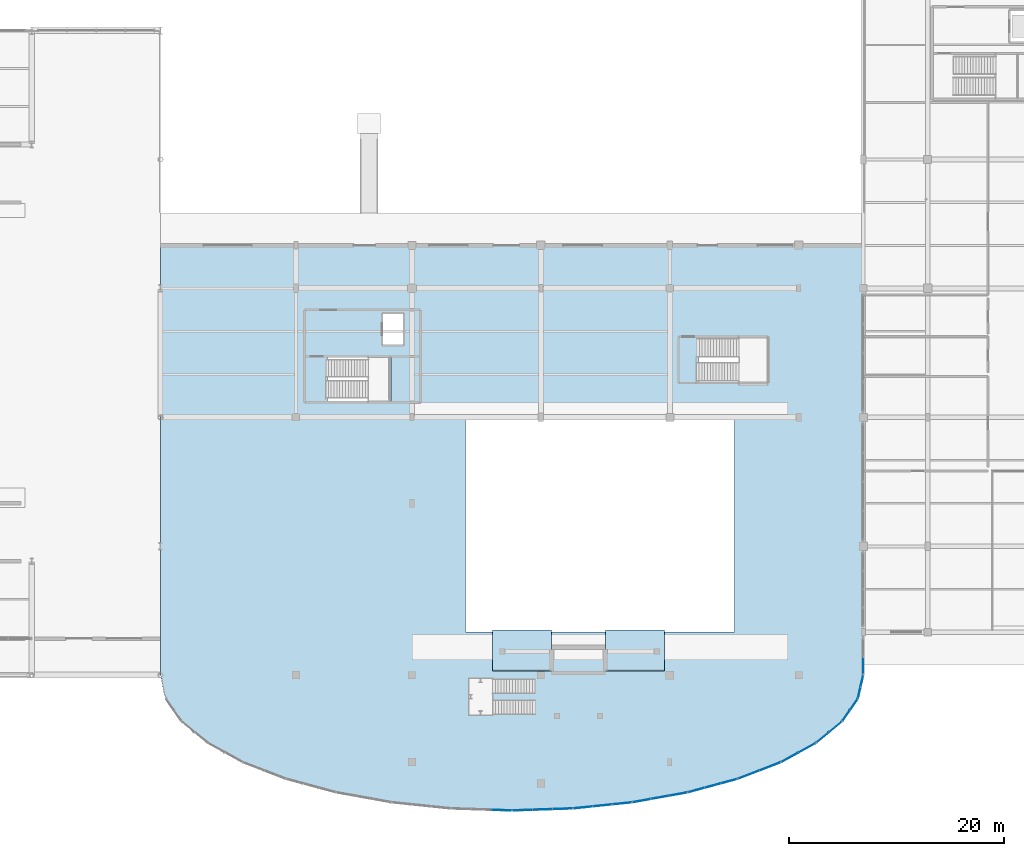
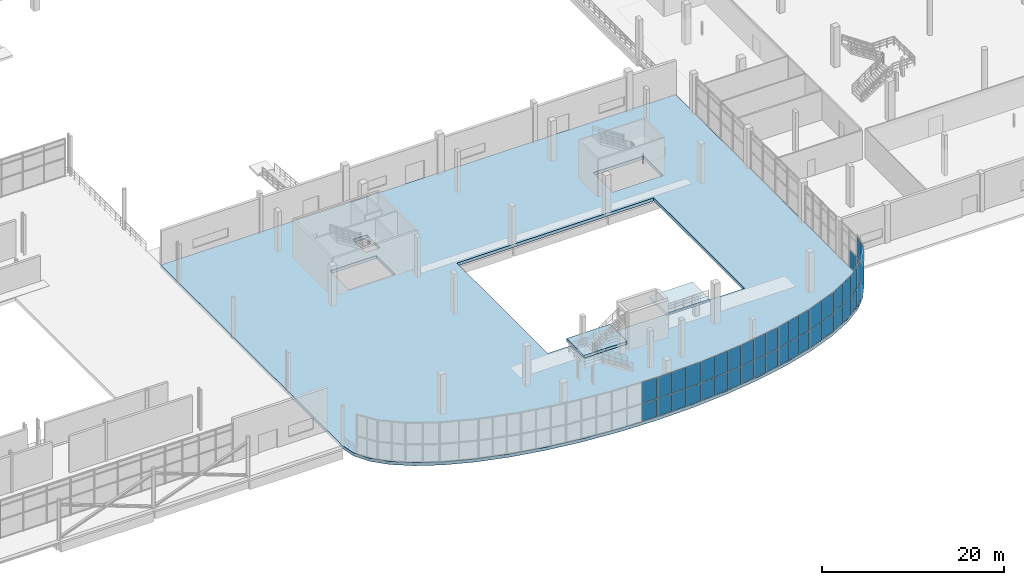
# One storey, part 52 of 85: 47 plates, 3 slabs, 11 elements without a shape of their own.
"""IFC4 building model written with IfcOpenShell, lengths in metres."""

from ifc_helpers import new_model, si_unit, direction, frame, origin, origin_2d, place, context, subcontext, project, spatial, polyline, rectangle, outline, extrude, material, layer, layer_set, type_object, element, aggregate, save


model = new_model("IFC4")

# Units and contexts
model_context = context("Model", 3, precision=1e-05, world=origin(), true_north=direction((0.0, 1.0)))
body_context = subcontext(model_context, "Body", "Model", "MODEL_VIEW")
ifc_project = project(units=[si_unit("LENGTHUNIT", "METRE"), si_unit("AREAUNIT", "SQUARE_METRE"), si_unit("VOLUMEUNIT", "CUBIC_METRE"), si_unit("PLANEANGLEUNIT", "RADIAN"), si_unit("MASSUNIT", "GRAM", prefix="KILO"), si_unit("THERMODYNAMICTEMPERATUREUNIT", "KELVIN"), si_unit("POWERUNIT", "WATT")], contexts=[model_context])

# Site, building, storey
site_placement = place(None, origin())
site = spatial("IfcSite", under=ifc_project, at=site_placement, CompositionType="ELEMENT")
building_placement = place(site_placement, origin())
building = spatial("IfcBuilding", under=site, at=building_placement, Name="Solmara Park Aquatics Centre", CompositionType="ELEMENT")
storey_placement = place(building_placement, origin())
storey = spatial("IfcBuildingStorey", under=building, at=storey_placement, Name="L00", CompositionType="ELEMENT", Elevation=0.0)

# Curtain wall, plates
ifc_material_1 = material(Name="Anodised Aluminium Curtain Wall Framing", Category="aluminium")
curtain_wall_type = type_object("IfcCurtainWallType", Name="ARC-CW-SYS02", PredefinedType="USERDEFINED", material=ifc_material_1)
curtain_wall_1_placement = place(storey_placement, origin())
curtain_wall_1 = element("IfcCurtainWall", 1, at=curtain_wall_1_placement, inside=storey, type_object=curtain_wall_type, Name="Curtain Wall CW-070", ObjectType="CURTAIN WALL", PredefinedType="USERDEFINED")
ifc_material_2 = material(Name="Double Low-E Solar-Control Glazing", Category="glass")
ifc_layer_1 = layer(ifc_material_2, 0.031982421875, Name="Double Low-E Solar-Control Glazing")
ifc_layer_set_1 = layer_set([ifc_layer_1], Name="Double Low-E Solar-Control Glazing")
plate_type_1 = type_object("IfcPlateType", Name="ARC-CWP-GLZ32-1000x2320", PredefinedType="CURTAIN_PANEL", material=ifc_layer_set_1)
plate_1_placement = place(storey_placement, frame((161.62744140625, 10.958984375, 0.080078125), z_axis=(0.0, 0.0, 1.0), x_axis=(0.22142084897, 0.975178346582, 0.0)))
plate_1 = element("IfcPlate", 2, at=plate_1_placement, type_object=plate_type_1, Name="CW-070 panel 1", PredefinedType="CURTAIN_PANEL", context=body_context, shape_type="SweptSolid", body=[
    extrude(rectangle(XDim=1.001953125, YDim=0.031982421875, at=origin_2d()), origin(), (0.0, 0.0, 1.0), 2.330078125),
])
plate_2_placement = place(storey_placement, frame((161.866943359375, 12.013916015625, 0.080078125), z_axis=(0.0, 0.0, 1.0), x_axis=(0.22142084897, 0.975178346582, 0.0)))
plate_2 = element("IfcPlate", 3, at=plate_2_placement, type_object=plate_type_1, Name="CW-070 panel 3", PredefinedType="CURTAIN_PANEL", context=body_context, shape_type="SweptSolid", body=[
    extrude(rectangle(XDim=1.001953125, YDim=0.031982421875, at=origin_2d()), origin(), (0.0, 0.0, 1.0), 2.330078125),
])
ifc_layer_2 = layer(ifc_material_2, 0.031982421875, Name="Double Low-E Solar-Control Glazing")
ifc_layer_set_2 = layer_set([ifc_layer_2], Name="Double Low-E Solar-Control Glazing")
plate_type_2 = type_object("IfcPlateType", Name="ARC-CWP-GLZ32-1000x2840", PredefinedType="CURTAIN_PANEL", material=ifc_layer_set_2)
plate_3_placement = place(storey_placement, frame((161.62744140625, 10.958984375, 2.489990234375), z_axis=(0.0, 0.0, 1.0), x_axis=(0.22142084897, 0.975178346582, 0.0)))
plate_3 = element("IfcPlate", 4, at=plate_3_placement, type_object=plate_type_2, Name="CW-070 panel 2", PredefinedType="CURTAIN_PANEL", context=body_context, shape_type="SweptSolid", body=[
    extrude(rectangle(XDim=1.001953125, YDim=0.031982421875, at=origin_2d()), origin(), (0.0, 0.0, 1.0), 2.830078125),
])
plate_4_placement = place(storey_placement, frame((161.866943359375, 12.013916015625, 2.489990234375), z_axis=(0.0, 0.0, 1.0), x_axis=(0.22142084897, 0.975178346582, 0.0)))
plate_4 = element("IfcPlate", 5, at=plate_4_placement, type_object=plate_type_2, Name="CW-070 panel 4", PredefinedType="CURTAIN_PANEL", context=body_context, shape_type="SweptSolid", body=[
    extrude(rectangle(XDim=1.001953125, YDim=0.031982421875, at=origin_2d()), origin(), (0.0, 0.0, 1.0), 2.830078125),
])
aggregate(curtain_wall_1, [plate_1, plate_3, plate_2, plate_4])

curtain_wall_2_placement = place(storey_placement, origin())
curtain_wall_2 = element("IfcCurtainWall", 6, at=curtain_wall_2_placement, inside=storey, type_object=curtain_wall_type, Name="Curtain Wall CW-067", ObjectType="CURTAIN WALL", PredefinedType="USERDEFINED")
ifc_layer_3 = layer(ifc_material_2, 0.031982421875, Name="Double Low-E Solar-Control Glazing")
ifc_layer_set_3 = layer_set([ifc_layer_3], Name="Double Low-E Solar-Control Glazing")
plate_type_3 = type_object("IfcPlateType", Name="ARC-CWP-GLZ32-1180x2320", PredefinedType="CURTAIN_PANEL", material=ifc_layer_set_3)
plate_5_placement = place(storey_placement, frame((160.396728515625, 8.82080078125, 0.080078125), z_axis=(0.0, 0.0, 1.0), x_axis=(0.570927091568, 0.821000764989, 0.0)))
plate_5 = element("IfcPlate", 7, at=plate_5_placement, type_object=plate_type_3, Name="CW-067 panel 1", PredefinedType="CURTAIN_PANEL", context=body_context, shape_type="SweptSolid", body=[
    extrude(rectangle(XDim=1.172119140625, YDim=0.031982421875, at=origin_2d()), origin(), (0.0, 0.0, 1.0), 2.330078125),
])
plate_6_placement = place(storey_placement, frame((161.111572265625, 9.848876953125, 0.080078125), z_axis=(0.0, 0.0, 1.0), x_axis=(0.570927091568, 0.821000764989, 0.0)))
plate_6 = element("IfcPlate", 8, at=plate_6_placement, type_object=plate_type_3, Name="CW-067 panel 3", PredefinedType="CURTAIN_PANEL", context=body_context, shape_type="SweptSolid", body=[
    extrude(rectangle(XDim=1.172119140625, YDim=0.031982421875, at=origin_2d()), origin(), (0.0, 0.0, 1.0), 2.330078125),
])
ifc_layer_4 = layer(ifc_material_2, 0.031982421875, Name="Double Low-E Solar-Control Glazing")
ifc_layer_set_4 = layer_set([ifc_layer_4], Name="Double Low-E Solar-Control Glazing")
plate_type_4 = type_object("IfcPlateType", Name="ARC-CWP-GLZ32-1180x2840", PredefinedType="CURTAIN_PANEL", material=ifc_layer_set_4)
plate_7_placement = place(storey_placement, frame((160.396728515625, 8.82080078125, 2.489990234375), z_axis=(0.0, 0.0, 1.0), x_axis=(0.570927091568, 0.821000764989, 0.0)))
plate_7 = element("IfcPlate", 9, at=plate_7_placement, type_object=plate_type_4, Name="CW-067 panel 2", PredefinedType="CURTAIN_PANEL", context=body_context, shape_type="SweptSolid", body=[
    extrude(rectangle(XDim=1.172119140625, YDim=0.031982421875, at=origin_2d()), origin(), (0.0, 0.0, 1.0), 2.830078125),
])
plate_8_placement = place(storey_placement, frame((161.111572265625, 9.848876953125, 2.489990234375), z_axis=(0.0, 0.0, 1.0), x_axis=(0.570927091568, 0.821000764989, 0.0)))
plate_8 = element("IfcPlate", 10, at=plate_8_placement, type_object=plate_type_4, Name="CW-067 panel 4", PredefinedType="CURTAIN_PANEL", context=body_context, shape_type="SweptSolid", body=[
    extrude(rectangle(XDim=1.172119140625, YDim=0.031982421875, at=origin_2d()), origin(), (0.0, 0.0, 1.0), 2.830078125),
])
aggregate(curtain_wall_2, [plate_5, plate_7, plate_6, plate_8])

curtain_wall_3_placement = place(storey_placement, origin())
curtain_wall_3 = element("IfcCurtainWall", 11, at=curtain_wall_3_placement, inside=storey, type_object=curtain_wall_type, Name="Curtain Wall CW-064", ObjectType="CURTAIN WALL", PredefinedType="USERDEFINED")
ifc_layer_5 = layer(ifc_material_2, 0.031982421875, Name="Double Low-E Solar-Control Glazing")
ifc_layer_set_5 = layer_set([ifc_layer_5], Name="Double Low-E Solar-Control Glazing")
plate_type_5 = type_object("IfcPlateType", Name="ARC-CWP-GLZ32-1440x2320", PredefinedType="CURTAIN_PANEL", material=ifc_layer_set_5)
plate_9_placement = place(storey_placement, frame((158.22119140625, 6.797607421875, 0.080078125), z_axis=(0.0, 0.0, 1.0), x_axis=(0.770876909587, 0.636984136589, 0.0)))
plate_9 = element("IfcPlate", 12, at=plate_9_placement, type_object=plate_type_5, Name="CW-064 panel 1", PredefinedType="CURTAIN_PANEL", context=body_context, shape_type="SweptSolid", body=[
    extrude(rectangle(XDim=1.4423828125, YDim=0.031982421875, at=origin_2d()), origin(), (0.0, 0.0, 1.0), 2.330078125),
])
plate_10_placement = place(storey_placement, frame((159.394775390625, 7.767333984375, 0.080078125), z_axis=(0.0, 0.0, 1.0), x_axis=(0.770876909587, 0.636984136589, 0.0)))
plate_10 = element("IfcPlate", 13, at=plate_10_placement, type_object=plate_type_5, Name="CW-064 panel 3", PredefinedType="CURTAIN_PANEL", context=body_context, shape_type="SweptSolid", body=[
    extrude(rectangle(XDim=1.4423828125, YDim=0.031982421875, at=origin_2d()), origin(), (0.0, 0.0, 1.0), 2.330078125),
])
ifc_layer_6 = layer(ifc_material_2, 0.031982421875, Name="Double Low-E Solar-Control Glazing")
ifc_layer_set_6 = layer_set([ifc_layer_6], Name="Double Low-E Solar-Control Glazing")
plate_type_6 = type_object("IfcPlateType", Name="ARC-CWP-GLZ32-1440x2840", PredefinedType="CURTAIN_PANEL", material=ifc_layer_set_6)
plate_11_placement = place(storey_placement, frame((158.22119140625, 6.797607421875, 2.489990234375), z_axis=(0.0, 0.0, 1.0), x_axis=(0.770876909587, 0.636984136589, 0.0)))
plate_11 = element("IfcPlate", 14, at=plate_11_placement, type_object=plate_type_6, Name="CW-064 panel 2", PredefinedType="CURTAIN_PANEL", context=body_context, shape_type="SweptSolid", body=[
    extrude(rectangle(XDim=1.4423828125, YDim=0.031982421875, at=origin_2d()), origin(), (0.0, 0.0, 1.0), 2.830078125),
])
plate_12_placement = place(storey_placement, frame((159.394775390625, 7.767333984375, 2.489990234375), z_axis=(0.0, 0.0, 1.0), x_axis=(0.770876909587, 0.636984136589, 0.0)))
plate_12 = element("IfcPlate", 15, at=plate_12_placement, type_object=plate_type_6, Name="CW-064 panel 4", PredefinedType="CURTAIN_PANEL", context=body_context, shape_type="SweptSolid", body=[
    extrude(rectangle(XDim=1.4423828125, YDim=0.031982421875, at=origin_2d()), origin(), (0.0, 0.0, 1.0), 2.830078125),
])
aggregate(curtain_wall_3, [plate_9, plate_11, plate_10, plate_12])

curtain_wall_4_placement = place(storey_placement, origin())
curtain_wall_4 = element("IfcCurtainWall", 16, at=curtain_wall_4_placement, inside=storey, type_object=curtain_wall_type, Name="Curtain Wall CW-055", ObjectType="CURTAIN WALL", PredefinedType="USERDEFINED")
ifc_layer_7 = layer(ifc_material_2, 0.031982421875, Name="Double Low-E Solar-Control Glazing")
ifc_layer_set_7 = layer_set([ifc_layer_7], Name="Double Low-E Solar-Control Glazing")
plate_type_7 = type_object("IfcPlateType", Name="ARC-CWP-GLZ32-1500x2320", PredefinedType="CURTAIN_PANEL", material=ifc_layer_set_7)
plate_13_placement = place(storey_placement, frame((146.4345703125, 1.89990234375, 0.080078125), z_axis=(0.0, 0.0, 1.0), x_axis=(0.965480359779, 0.260475862378, 0.0)))
plate_13 = element("IfcPlate", 17, at=plate_13_placement, type_object=plate_type_7, Name="CW-055 panel 1", PredefinedType="CURTAIN_PANEL", context=body_context, shape_type="SweptSolid", body=[
    extrude(rectangle(XDim=1.50537109375, YDim=0.031982421875, at=origin_2d()), origin(), (0.0, 0.0, 1.0), 2.330078125),
])
plate_14_placement = place(storey_placement, frame((147.96533203125, 2.312744140625, 0.080078125), z_axis=(0.0, 0.0, 1.0), x_axis=(0.965480359779, 0.260475862378, 0.0)))
plate_14 = element("IfcPlate", 18, at=plate_14_placement, type_object=plate_type_7, Name="CW-055 panel 3", PredefinedType="CURTAIN_PANEL", context=body_context, shape_type="SweptSolid", body=[
    extrude(rectangle(XDim=1.50537109375, YDim=0.031982421875, at=origin_2d()), origin(), (0.0, 0.0, 1.0), 2.330078125),
])
plate_15_placement = place(storey_placement, frame((149.495849609375, 2.7255859375, 0.080078125), z_axis=(0.0, 0.0, 1.0), x_axis=(0.965480359779, 0.260475862378, 0.0)))
plate_15 = element("IfcPlate", 19, at=plate_15_placement, type_object=plate_type_7, Name="CW-055 panel 5", PredefinedType="CURTAIN_PANEL", context=body_context, shape_type="SweptSolid", body=[
    extrude(rectangle(XDim=1.505615234375, YDim=0.031982421875, at=origin_2d()), origin(), (0.0, 0.0, 1.0), 2.330078125),
])
ifc_layer_8 = layer(ifc_material_2, 0.031982421875, Name="Double Low-E Solar-Control Glazing")
ifc_layer_set_8 = layer_set([ifc_layer_8], Name="Double Low-E Solar-Control Glazing")
plate_type_8 = type_object("IfcPlateType", Name="ARC-CWP-GLZ32-1500x2840", PredefinedType="CURTAIN_PANEL", material=ifc_layer_set_8)
plate_16_placement = place(storey_placement, frame((146.4345703125, 1.89990234375, 2.489990234375), z_axis=(0.0, 0.0, 1.0), x_axis=(0.965480359779, 0.260475862378, 0.0)))
plate_16 = element("IfcPlate", 20, at=plate_16_placement, type_object=plate_type_8, Name="CW-055 panel 2", PredefinedType="CURTAIN_PANEL", context=body_context, shape_type="SweptSolid", body=[
    extrude(rectangle(XDim=1.50537109375, YDim=0.031982421875, at=origin_2d()), origin(), (0.0, 0.0, 1.0), 2.830078125),
])
plate_17_placement = place(storey_placement, frame((147.96533203125, 2.312744140625, 2.489990234375), z_axis=(0.0, 0.0, 1.0), x_axis=(0.965480359779, 0.260475862378, 0.0)))
plate_17 = element("IfcPlate", 21, at=plate_17_placement, type_object=plate_type_8, Name="CW-055 panel 4", PredefinedType="CURTAIN_PANEL", context=body_context, shape_type="SweptSolid", body=[
    extrude(rectangle(XDim=1.50537109375, YDim=0.031982421875, at=origin_2d()), origin(), (0.0, 0.0, 1.0), 2.830078125),
])
plate_18_placement = place(storey_placement, frame((149.495849609375, 2.7255859375, 2.489990234375), z_axis=(0.0, 0.0, 1.0), x_axis=(0.965480359779, 0.260475862378, 0.0)))
plate_18 = element("IfcPlate", 22, at=plate_18_placement, type_object=plate_type_8, Name="CW-055 panel 6", PredefinedType="CURTAIN_PANEL", context=body_context, shape_type="SweptSolid", body=[
    extrude(rectangle(XDim=1.505615234375, YDim=0.031982421875, at=origin_2d()), origin(), (0.0, 0.0, 1.0), 2.830078125),
])
aggregate(curtain_wall_4, [plate_13, plate_16, plate_14, plate_17, plate_15, plate_18])

curtain_wall_5_placement = place(storey_placement, origin())
curtain_wall_5 = element("IfcCurtainWall", 23, at=curtain_wall_5_placement, inside=storey, type_object=curtain_wall_type, Name="Curtain Wall CW-052", ObjectType="CURTAIN WALL", PredefinedType="USERDEFINED")
ifc_layer_9 = layer(ifc_material_2, 0.031982421875, Name="Double Low-E Solar-Control Glazing")
ifc_layer_set_9 = layer_set([ifc_layer_9], Name="Double Low-E Solar-Control Glazing")
plate_type_9 = type_object("IfcPlateType", Name="ARC-CWP-GLZ32-1640x2320", PredefinedType="CURTAIN_PANEL", material=ifc_layer_set_9)
plate_19_placement = place(storey_placement, frame((141.351806640625, 0.915771484375, 0.080078125), z_axis=(0.0, 0.0, 1.0), x_axis=(0.9842385399, 0.176845968502, 0.0)))
plate_19 = element("IfcPlate", 24, at=plate_19_placement, type_object=plate_type_9, Name="CW-052 panel 1", PredefinedType="CURTAIN_PANEL", context=body_context, shape_type="SweptSolid", body=[
    extrude(rectangle(XDim=1.642822265625, YDim=0.031982421875, at=origin_2d()), origin(), (0.0, 0.0, 1.0), 2.330078125),
])
plate_20_placement = place(storey_placement, frame((143.04736328125, 1.220458984375, 0.080078125), z_axis=(0.0, 0.0, 1.0), x_axis=(0.9842385399, 0.176845968502, 0.0)))
plate_20 = element("IfcPlate", 25, at=plate_20_placement, type_object=plate_type_9, Name="CW-052 panel 3", PredefinedType="CURTAIN_PANEL", context=body_context, shape_type="SweptSolid", body=[
    extrude(rectangle(XDim=1.642822265625, YDim=0.031982421875, at=origin_2d()), origin(), (0.0, 0.0, 1.0), 2.330078125),
])
plate_21_placement = place(storey_placement, frame((144.7431640625, 1.525146484375, 0.080078125), z_axis=(0.0, 0.0, 1.0), x_axis=(0.9842385399, 0.176845968502, 0.0)))
plate_21 = element("IfcPlate", 26, at=plate_21_placement, type_object=plate_type_9, Name="CW-052 panel 5", PredefinedType="CURTAIN_PANEL", context=body_context, shape_type="SweptSolid", body=[
    extrude(rectangle(XDim=1.642822265625, YDim=0.031982421875, at=origin_2d()), origin(), (0.0, 0.0, 1.0), 2.330078125),
])
ifc_layer_10 = layer(ifc_material_2, 0.031982421875, Name="Double Low-E Solar-Control Glazing")
ifc_layer_set_10 = layer_set([ifc_layer_10], Name="Double Low-E Solar-Control Glazing")
plate_type_10 = type_object("IfcPlateType", Name="ARC-CWP-GLZ32-1640x2840", PredefinedType="CURTAIN_PANEL", material=ifc_layer_set_10)
plate_22_placement = place(storey_placement, frame((141.351806640625, 0.915771484375, 2.489990234375), z_axis=(0.0, 0.0, 1.0), x_axis=(0.9842385399, 0.176845968502, 0.0)))
plate_22 = element("IfcPlate", 27, at=plate_22_placement, type_object=plate_type_10, Name="CW-052 panel 2", PredefinedType="CURTAIN_PANEL", context=body_context, shape_type="SweptSolid", body=[
    extrude(rectangle(XDim=1.642822265625, YDim=0.031982421875, at=origin_2d()), origin(), (0.0, 0.0, 1.0), 2.830078125),
])
plate_23_placement = place(storey_placement, frame((143.04736328125, 1.220458984375, 2.489990234375), z_axis=(0.0, 0.0, 1.0), x_axis=(0.9842385399, 0.176845968502, 0.0)))
plate_23 = element("IfcPlate", 28, at=plate_23_placement, type_object=plate_type_10, Name="CW-052 panel 4", PredefinedType="CURTAIN_PANEL", context=body_context, shape_type="SweptSolid", body=[
    extrude(rectangle(XDim=1.642822265625, YDim=0.031982421875, at=origin_2d()), origin(), (0.0, 0.0, 1.0), 2.830078125),
])
plate_24_placement = place(storey_placement, frame((144.7431640625, 1.525146484375, 2.489990234375), z_axis=(0.0, 0.0, 1.0), x_axis=(0.9842385399, 0.176845968502, 0.0)))
plate_24 = element("IfcPlate", 29, at=plate_24_placement, type_object=plate_type_10, Name="CW-052 panel 6", PredefinedType="CURTAIN_PANEL", context=body_context, shape_type="SweptSolid", body=[
    extrude(rectangle(XDim=1.642822265625, YDim=0.031982421875, at=origin_2d()), origin(), (0.0, 0.0, 1.0), 2.830078125),
])
aggregate(curtain_wall_5, [plate_19, plate_22, plate_20, plate_23, plate_21, plate_24])

curtain_wall_6_placement = place(storey_placement, origin())
curtain_wall_6 = element("IfcCurtainWall", 30, at=curtain_wall_6_placement, inside=storey, type_object=curtain_wall_type, Name="Curtain Wall CW-049", ObjectType="CURTAIN WALL", PredefinedType="USERDEFINED")
ifc_layer_11 = layer(ifc_material_2, 0.031982421875, Name="Double Low-E Solar-Control Glazing")
ifc_layer_set_11 = layer_set([ifc_layer_11], Name="Double Low-E Solar-Control Glazing")
plate_type_11 = type_object("IfcPlateType", Name="ARC-CWP-GLZ32-1740x2320", PredefinedType="CURTAIN_PANEL", material=ifc_layer_set_11)
plate_25_placement = place(storey_placement, frame((135.902587890625, 0.286865234375, 0.080078125), z_axis=(0.0, 0.0, 1.0), x_axis=(0.994711425154, 0.102709204398, 0.0)))
plate_25 = element("IfcPlate", 31, at=plate_25_placement, type_object=plate_type_11, Name="CW-049 panel 1", PredefinedType="CURTAIN_PANEL", context=body_context, shape_type="SweptSolid", body=[
    extrude(rectangle(XDim=1.73828125, YDim=0.031982421875, at=origin_2d()), origin(), (0.0, 0.0, 1.0), 2.330078125),
])
plate_26_placement = place(storey_placement, frame((137.711181640625, 0.4736328125, 0.080078125), z_axis=(0.0, 0.0, 1.0), x_axis=(0.994711425154, 0.102709204398, 0.0)))
plate_26 = element("IfcPlate", 32, at=plate_26_placement, type_object=plate_type_11, Name="CW-049 panel 3", PredefinedType="CURTAIN_PANEL", context=body_context, shape_type="SweptSolid", body=[
    extrude(rectangle(XDim=1.73828125, YDim=0.031982421875, at=origin_2d()), origin(), (0.0, 0.0, 1.0), 2.330078125),
])
plate_27_placement = place(storey_placement, frame((139.52001953125, 0.660400390625, 0.080078125), z_axis=(0.0, 0.0, 1.0), x_axis=(0.994711425154, 0.102709204398, 0.0)))
plate_27 = element("IfcPlate", 33, at=plate_27_placement, type_object=plate_type_11, Name="CW-049 panel 5", PredefinedType="CURTAIN_PANEL", context=body_context, shape_type="SweptSolid", body=[
    extrude(rectangle(XDim=1.73828125, YDim=0.031982421875, at=origin_2d()), origin(), (0.0, 0.0, 1.0), 2.330078125),
])

curtain_wall_7_placement = place(storey_placement, origin())
curtain_wall_7 = element("IfcCurtainWall", 34, at=curtain_wall_7_placement, inside=storey, type_object=curtain_wall_type, Name="Curtain Wall CW-061", ObjectType="CURTAIN WALL", PredefinedType="USERDEFINED")
plate_28_placement = place(storey_placement, frame((155.1669921875, 4.95068359375, 0.080078125), z_axis=(0.0, 0.0, 1.0), x_axis=(0.876104806664, 0.482120698311, 0.0)))
plate_28 = element("IfcPlate", 35, at=plate_28_placement, type_object=plate_type_11, Name="CW-061 panel 1", PredefinedType="CURTAIN_PANEL", context=body_context, shape_type="SweptSolid", body=[
    extrude(rectangle(XDim=1.745849609375, YDim=0.031982421875, at=origin_2d()), origin(), (0.0, 0.0, 1.0), 2.330078125),
])
plate_29_placement = place(storey_placement, frame((156.7666015625, 5.830810546875, 0.080078125), z_axis=(0.0, 0.0, 1.0), x_axis=(0.876104806664, 0.482120698311, 0.0)))
plate_29 = element("IfcPlate", 36, at=plate_29_placement, type_object=plate_type_11, Name="CW-061 panel 3", PredefinedType="CURTAIN_PANEL", context=body_context, shape_type="SweptSolid", body=[
    extrude(rectangle(XDim=1.745849609375, YDim=0.031982421875, at=origin_2d()), origin(), (0.0, 0.0, 1.0), 2.330078125),
])

# Plate
ifc_layer_12 = layer(ifc_material_2, 0.031982421875, Name="Double Low-E Solar-Control Glazing")
ifc_layer_set_12 = layer_set([ifc_layer_12], Name="Double Low-E Solar-Control Glazing")
plate_type_12 = type_object("IfcPlateType", Name="ARC-CWP-GLZ32-1740x2840", PredefinedType="CURTAIN_PANEL", material=ifc_layer_set_12)
plate_30_placement = place(storey_placement, frame((135.902587890625, 0.286865234375, 2.489990234375), z_axis=(0.0, 0.0, 1.0), x_axis=(0.994711425154, 0.102709204398, 0.0)))
plate_30 = element("IfcPlate", 37, at=plate_30_placement, type_object=plate_type_12, Name="CW-049 panel 2", PredefinedType="CURTAIN_PANEL", context=body_context, shape_type="SweptSolid", body=[
    extrude(rectangle(XDim=1.73828125, YDim=0.031982421875, at=origin_2d()), origin(), (0.0, 0.0, 1.0), 2.830078125),
])

plate_31_placement = place(storey_placement, frame((137.711181640625, 0.4736328125, 2.489990234375), z_axis=(0.0, 0.0, 1.0), x_axis=(0.994711425154, 0.102709204398, 0.0)))
plate_31 = element("IfcPlate", 38, at=plate_31_placement, type_object=plate_type_12, Name="CW-049 panel 4", PredefinedType="CURTAIN_PANEL", context=body_context, shape_type="SweptSolid", body=[
    extrude(rectangle(XDim=1.73828125, YDim=0.031982421875, at=origin_2d()), origin(), (0.0, 0.0, 1.0), 2.830078125),
])

plate_32_placement = place(storey_placement, frame((139.52001953125, 0.660400390625, 2.489990234375), z_axis=(0.0, 0.0, 1.0), x_axis=(0.994711425154, 0.102709204398, 0.0)))
plate_32 = element("IfcPlate", 39, at=plate_32_placement, type_object=plate_type_12, Name="CW-049 panel 6", PredefinedType="CURTAIN_PANEL", context=body_context, shape_type="SweptSolid", body=[
    extrude(rectangle(XDim=1.73828125, YDim=0.031982421875, at=origin_2d()), origin(), (0.0, 0.0, 1.0), 2.830078125),
])

aggregate(curtain_wall_6, [plate_25, plate_30, plate_26, plate_31, plate_27, plate_32])

plate_33_placement = place(storey_placement, frame((155.1669921875, 4.95068359375, 2.489990234375), z_axis=(0.0, 0.0, 1.0), x_axis=(0.876104806664, 0.482120698311, 0.0)))
plate_33 = element("IfcPlate", 40, at=plate_33_placement, type_object=plate_type_12, Name="CW-061 panel 2", PredefinedType="CURTAIN_PANEL", context=body_context, shape_type="SweptSolid", body=[
    extrude(rectangle(XDim=1.745849609375, YDim=0.031982421875, at=origin_2d()), origin(), (0.0, 0.0, 1.0), 2.830078125),
])

plate_34_placement = place(storey_placement, frame((156.7666015625, 5.830810546875, 2.489990234375), z_axis=(0.0, 0.0, 1.0), x_axis=(0.876104806664, 0.482120698311, 0.0)))
plate_34 = element("IfcPlate", 41, at=plate_34_placement, type_object=plate_type_12, Name="CW-061 panel 4", PredefinedType="CURTAIN_PANEL", context=body_context, shape_type="SweptSolid", body=[
    extrude(rectangle(XDim=1.745849609375, YDim=0.031982421875, at=origin_2d()), origin(), (0.0, 0.0, 1.0), 2.830078125),
])

aggregate(curtain_wall_7, [plate_28, plate_33, plate_29, plate_34])

# Curtain wall, plate
curtain_wall_8_placement = place(storey_placement, origin())
curtain_wall_8 = element("IfcCurtainWall", 42, at=curtain_wall_8_placement, inside=storey, type_object=curtain_wall_type, Name="Curtain Wall CW-043", ObjectType="CURTAIN WALL", PredefinedType="USERDEFINED")
ifc_layer_13 = layer(ifc_material_2, 0.031982421875, Name="Double Low-E Solar-Control Glazing")
ifc_layer_set_13 = layer_set([ifc_layer_13], Name="Double Low-E Solar-Control Glazing")
plate_type_13 = type_object("IfcPlateType", Name="ARC-CWP-GLZ32-1780x2320", PredefinedType="CURTAIN_PANEL", material=ifc_layer_set_13)
plate_35_placement = place(storey_placement, frame((128.306884765625, 0.033447265625, 0.080078125), z_axis=(0.0, 0.0, 1.0), x_axis=(0.999432366194, -0.033688950762, 0.0)))
plate_35 = element("IfcPlate", 43, at=plate_35_placement, type_object=plate_type_13, Name="CW-043 panel 5", PredefinedType="CURTAIN_PANEL", context=body_context, shape_type="SweptSolid", body=[
    extrude(rectangle(XDim=1.787109375, YDim=0.031982421875, at=origin_2d()), origin(), (0.0, 0.0, 1.0), 2.330078125),
])

# Curtain wall, plates
curtain_wall_9_placement = place(storey_placement, origin())
curtain_wall_9 = element("IfcCurtainWall", 44, at=curtain_wall_9_placement, inside=storey, type_object=curtain_wall_type, Name="Curtain Wall CW-046", ObjectType="CURTAIN WALL", PredefinedType="USERDEFINED")
plate_36_placement = place(storey_placement, frame((130.253173828125, 0.031982421875, 0.080078125), z_axis=(0.0, 0.0, 1.0), x_axis=(0.999432366194, 0.033688950762, 0.0)))
plate_36 = element("IfcPlate", 45, at=plate_36_placement, type_object=plate_type_13, Name="CW-046 panel 1", PredefinedType="CURTAIN_PANEL", context=body_context, shape_type="SweptSolid", body=[
    extrude(rectangle(XDim=1.787109375, YDim=0.031982421875, at=origin_2d()), origin(), (0.0, 0.0, 1.0), 2.330078125),
])
plate_37_placement = place(storey_placement, frame((132.119140625, 0.094970703125, 0.080078125), z_axis=(0.0, 0.0, 1.0), x_axis=(0.999432366194, 0.033688950762, 0.0)))
plate_37 = element("IfcPlate", 46, at=plate_37_placement, type_object=plate_type_13, Name="CW-046 panel 3", PredefinedType="CURTAIN_PANEL", context=body_context, shape_type="SweptSolid", body=[
    extrude(rectangle(XDim=1.787109375, YDim=0.031982421875, at=origin_2d()), origin(), (0.0, 0.0, 1.0), 2.330078125),
])
plate_38_placement = place(storey_placement, frame((133.9853515625, 0.157958984375, 0.080078125), z_axis=(0.0, 0.0, 1.0), x_axis=(0.999432366194, 0.033688950762, 0.0)))
plate_38 = element("IfcPlate", 47, at=plate_38_placement, type_object=plate_type_13, Name="CW-046 panel 5", PredefinedType="CURTAIN_PANEL", context=body_context, shape_type="SweptSolid", body=[
    extrude(rectangle(XDim=1.787109375, YDim=0.031982421875, at=origin_2d()), origin(), (0.0, 0.0, 1.0), 2.330078125),
])

# Plate
ifc_layer_14 = layer(ifc_material_2, 0.031982421875, Name="Double Low-E Solar-Control Glazing")
ifc_layer_set_14 = layer_set([ifc_layer_14], Name="Double Low-E Solar-Control Glazing")
plate_type_14 = type_object("IfcPlateType", Name="ARC-CWP-GLZ32-1780x2840", PredefinedType="CURTAIN_PANEL", material=ifc_layer_set_14)
plate_39_placement = place(storey_placement, frame((128.306884765625, 0.033447265625, 2.489990234375), z_axis=(0.0, 0.0, 1.0), x_axis=(0.999432366194, -0.033688950762, 0.0)))
plate_39 = element("IfcPlate", 48, at=plate_39_placement, type_object=plate_type_14, Name="CW-043 panel 6", PredefinedType="CURTAIN_PANEL", context=body_context, shape_type="SweptSolid", body=[
    extrude(rectangle(XDim=1.787109375, YDim=0.031982421875, at=origin_2d()), origin(), (0.0, 0.0, 1.0), 2.830078125),
])

aggregate(curtain_wall_8, [plate_35, plate_39])

plate_40_placement = place(storey_placement, frame((130.253173828125, 0.031982421875, 2.489990234375), z_axis=(0.0, 0.0, 1.0), x_axis=(0.999432366194, 0.033688950762, 0.0)))
plate_40 = element("IfcPlate", 49, at=plate_40_placement, type_object=plate_type_14, Name="CW-046 panel 2", PredefinedType="CURTAIN_PANEL", context=body_context, shape_type="SweptSolid", body=[
    extrude(rectangle(XDim=1.787109375, YDim=0.031982421875, at=origin_2d()), origin(), (0.0, 0.0, 1.0), 2.830078125),
])

plate_41_placement = place(storey_placement, frame((132.119140625, 0.094970703125, 2.489990234375), z_axis=(0.0, 0.0, 1.0), x_axis=(0.999432366194, 0.033688950762, 0.0)))
plate_41 = element("IfcPlate", 50, at=plate_41_placement, type_object=plate_type_14, Name="CW-046 panel 4", PredefinedType="CURTAIN_PANEL", context=body_context, shape_type="SweptSolid", body=[
    extrude(rectangle(XDim=1.787109375, YDim=0.031982421875, at=origin_2d()), origin(), (0.0, 0.0, 1.0), 2.830078125),
])

plate_42_placement = place(storey_placement, frame((133.9853515625, 0.157958984375, 2.489990234375), z_axis=(0.0, 0.0, 1.0), x_axis=(0.999432366194, 0.033688950762, 0.0)))
plate_42 = element("IfcPlate", 51, at=plate_42_placement, type_object=plate_type_14, Name="CW-046 panel 6", PredefinedType="CURTAIN_PANEL", context=body_context, shape_type="SweptSolid", body=[
    extrude(rectangle(XDim=1.787109375, YDim=0.031982421875, at=origin_2d()), origin(), (0.0, 0.0, 1.0), 2.830078125),
])

aggregate(curtain_wall_9, [plate_36, plate_40, plate_37, plate_41, plate_38, plate_42])

# Curtain wall, plates
curtain_wall_10_placement = place(storey_placement, origin())
curtain_wall_10 = element("IfcCurtainWall", 52, at=curtain_wall_10_placement, inside=storey, type_object=curtain_wall_type, Name="Curtain Wall CW-058", ObjectType="CURTAIN WALL", PredefinedType="USERDEFINED")
ifc_layer_15 = layer(ifc_material_2, 0.031982421875, Name="Double Low-E Solar-Control Glazing")
ifc_layer_set_15 = layer_set([ifc_layer_15], Name="Double Low-E Solar-Control Glazing")
plate_type_15 = type_object("IfcPlateType", Name="ARC-CWP-GLZ32-2040x2320", PredefinedType="CURTAIN_PANEL", material=ifc_layer_set_15)
plate_43_placement = place(storey_placement, frame((151.326904296875, 3.336181640625, 0.080078125), z_axis=(0.0, 0.0, 1.0), x_axis=(0.933119937966, 0.35956526719, 0.0)))
plate_43 = element("IfcPlate", 53, at=plate_43_placement, type_object=plate_type_15, Name="CW-058 panel 1", PredefinedType="CURTAIN_PANEL", context=body_context, shape_type="SweptSolid", body=[
    extrude(rectangle(XDim=2.039794921875, YDim=0.031982421875, at=origin_2d()), origin(), (0.0, 0.0, 1.0), 2.330078125),
])
plate_44_placement = place(storey_placement, frame((153.3046875, 4.09814453125, 0.080078125), z_axis=(0.0, 0.0, 1.0), x_axis=(0.933119937966, 0.35956526719, 0.0)))
plate_44 = element("IfcPlate", 54, at=plate_44_placement, type_object=plate_type_15, Name="CW-058 panel 3", PredefinedType="CURTAIN_PANEL", context=body_context, shape_type="SweptSolid", body=[
    extrude(rectangle(XDim=2.039794921875, YDim=0.031982421875, at=origin_2d()), origin(), (0.0, 0.0, 1.0), 2.330078125),
])
ifc_layer_16 = layer(ifc_material_2, 0.031982421875, Name="Double Low-E Solar-Control Glazing")
ifc_layer_set_16 = layer_set([ifc_layer_16], Name="Double Low-E Solar-Control Glazing")
plate_type_16 = type_object("IfcPlateType", Name="ARC-CWP-GLZ32-2040x2840", PredefinedType="CURTAIN_PANEL", material=ifc_layer_set_16)
plate_45_placement = place(storey_placement, frame((151.326904296875, 3.336181640625, 2.489990234375), z_axis=(0.0, 0.0, 1.0), x_axis=(0.933119937966, 0.35956526719, 0.0)))
plate_45 = element("IfcPlate", 55, at=plate_45_placement, type_object=plate_type_16, Name="CW-058 panel 2", PredefinedType="CURTAIN_PANEL", context=body_context, shape_type="SweptSolid", body=[
    extrude(rectangle(XDim=2.039794921875, YDim=0.031982421875, at=origin_2d()), origin(), (0.0, 0.0, 1.0), 2.830078125),
])
plate_46_placement = place(storey_placement, frame((153.3046875, 4.09814453125, 2.489990234375), z_axis=(0.0, 0.0, 1.0), x_axis=(0.933119937966, 0.35956526719, 0.0)))
plate_46 = element("IfcPlate", 56, at=plate_46_placement, type_object=plate_type_16, Name="CW-058 panel 4", PredefinedType="CURTAIN_PANEL", context=body_context, shape_type="SweptSolid", body=[
    extrude(rectangle(XDim=2.039794921875, YDim=0.031982421875, at=origin_2d()), origin(), (0.0, 0.0, 1.0), 2.830078125),
])
aggregate(curtain_wall_10, [plate_43, plate_45, plate_44, plate_46])

# Curtain wall, plate
curtain_wall_11_placement = place(storey_placement, origin())
curtain_wall_11 = element("IfcCurtainWall", 57, at=curtain_wall_11_placement, inside=storey, type_object=curtain_wall_type, Name="Curtain Wall CW-073", ObjectType="CURTAIN WALL", PredefinedType="USERDEFINED")
ifc_layer_17 = layer(ifc_material_2, 0.035888671875, Name="Double Low-E Solar-Control Glazing")
ifc_layer_set_17 = layer_set([ifc_layer_17], Name="Double Low-E Solar-Control Glazing")
plate_type_17 = type_object("IfcPlateType", Name="ARC-CWP-GLZ36-1600x2320", PredefinedType="CURTAIN_PANEL", material=ifc_layer_set_17)
plate_47_placement = place(storey_placement, frame((162.0, 13.4599609375, 0.080078125), z_axis=(0.0, 0.0, 1.0), x_axis=(0.0, 1.0, 0.0)))
plate_47 = element("IfcPlate", 58, at=plate_47_placement, type_object=plate_type_17, Name="CW-073 panel 1", PredefinedType="CURTAIN_PANEL", context=body_context, shape_type="SweptSolid", body=[
    extrude(rectangle(XDim=1.60009765625, YDim=0.035888671875, at=origin_2d()), origin(), (0.0, 0.0, 1.0), 2.330078125),
])
aggregate(curtain_wall_11, [plate_47])

# Slabs
ifc_material_3 = material(Name="Watertight Concrete C45/55", Category="concrete")
ifc_layer_18 = layer(ifc_material_3, 0.419921875, Name="Watertight Concrete C45/55")
ifc_layer_set_18 = layer_set([ifc_layer_18], Name="Watertight Concrete C45/55")
slab_type_1 = type_object("IfcSlabType", Name="STR-SLB-DECK420", PredefinedType="FLOOR", material=ifc_layer_set_18)
slab_1_placement = place(storey_placement, frame((0.0, 0.0, -0.419921875)))
element("IfcSlab", 59, at=slab_1_placement, inside=storey, type_object=slab_type_1, Name="Diving Pavilion L00 Pool Deck", PredefinedType="FLOOR", context=body_context, shape_type="SweptSolid", body=[
    extrude(outline(polyline([(96.60009765625, 12.60009765625), (96.932861328125, 10.806884765625), (97.924560546875, 9.05029296875), (99.554931640625, 7.36572265625), (101.791015625, 5.787841796875), (104.5869140625, 4.348876953125), (107.885986328125, 3.07763671875), (111.62109375, 2.000244140625), (115.7158203125, 1.138671875), (120.08740234375, 0.510498046875), (124.646240234375, 0.128173828125), (129.300048828125, 0.0), (133.95361328125, 0.128173828125), (138.5126953125, 0.510498046875), (142.884033203125, 1.138671875), (146.97900390625, 2.000244140625), (150.7138671875, 3.07763671875), (154.012939453125, 4.348876953125), (156.80908203125, 5.787841796875), (159.044921875, 7.36572265625), (160.67529296875, 9.05029296875), (161.667236328125, 10.806884765625), (162.0, 12.60009765625), (162.0, 52.60009765625), (96.60009765625, 52.60009765625), (96.60009765625, 12.60009765625)]), holes=[polyline([(125.0, 16.60009765625), (150.0, 16.60009765625), (150.0, 36.60009765625), (125.0, 36.60009765625), (125.0, 16.60009765625)]), polyline([(112.14990234375, 38.1298828125), (118.050048828125, 38.1298828125), (118.050048828125, 42.27001953125), (112.14990234375, 42.27001953125), (112.14990234375, 38.1298828125)]), polyline([(117.320068359375, 43.39990234375), (119.14990234375, 43.39990234375), (119.14990234375, 46.199951171875), (117.320068359375, 46.199951171875), (117.320068359375, 43.39990234375)]), polyline([(146.679931640625, 39.800048828125), (153.06005859375, 39.800048828125), (153.06005859375, 44.10009765625), (146.679931640625, 44.10009765625), (146.679931640625, 39.800048828125)])]), origin(), (0.0, 0.0, 1.0), 0.419921875),
])
ifc_material_4 = material(Name="Concrete C40/50", Category="concrete")
ifc_layer_19 = layer(ifc_material_4, 0.360107421875, Name="Concrete C40/50")
ifc_layer_set_19 = layer_set([ifc_layer_19], Name="Concrete C40/50")
slab_type_2 = type_object("IfcSlabType", Name="STR-SLB-DIV360", PredefinedType="FLOOR", material=ifc_layer_set_19)
slab_2_placement = place(storey_placement, frame((0.0, 0.0, 0.639892578125)))
element("IfcSlab", 60, at=slab_2_placement, inside=storey, type_object=slab_type_2, Name="Diving Platform SLB-DIV-1M (+1.0m)", PredefinedType="FLOOR", context=body_context, shape_type="SweptSolid", body=[
    extrude(outline(polyline([(127.5, 13.0), (133.0, 13.0), (133.0, 16.800048828125), (127.5, 16.800048828125), (127.5, 13.0)])), origin(), (0.0, 0.0, 1.0), 0.360107421875),
])
slab_3_placement = place(storey_placement, frame((0.0, 0.0, 2.639892578125)))
element("IfcSlab", 61, at=slab_3_placement, inside=storey, type_object=slab_type_2, Name="Diving Platform SLB-DIV-3M (+3.0m)", PredefinedType="FLOOR", context=body_context, shape_type="SweptSolid", body=[
    extrude(outline(polyline([(138.0, 13.0), (143.5, 13.0), (143.5, 16.800048828125), (138.0, 16.800048828125), (138.0, 13.0)])), origin(), (0.0, 0.0, 1.0), 0.360107421875),
])

save(model, "model.ifc")
